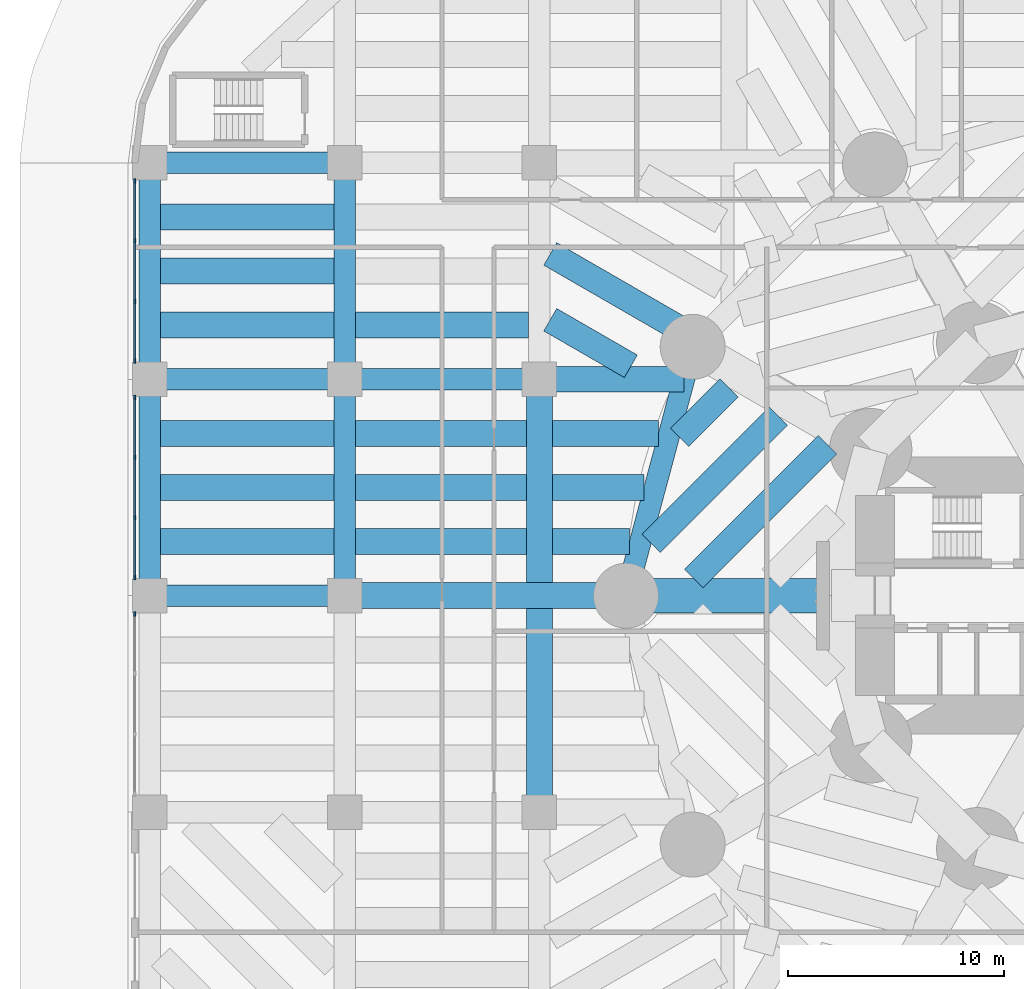
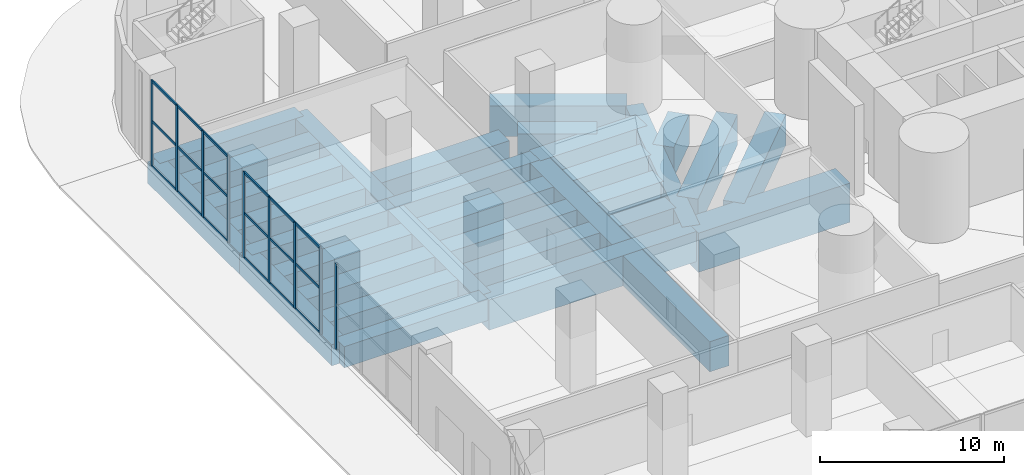
# One storey, part 6 of 20: 31 beams, 27 members, 3 elements without a shape of their own.
"""IFC4 building model written with IfcOpenShell, lengths in metres."""

from ifc_helpers import new_model, si_unit, direction, frame, origin, origin_2d, place, context, subcontext, project, spatial, rectangle, extrude, material, material_profile, profile_set, type_object, element, aggregate, save


model = new_model("IFC4")

# Units and contexts
model_context = context("Model", 3, precision=1e-05, world=origin(), true_north=direction((0.0, 1.0)))
body_context = subcontext(model_context, "Body", "Model", "MODEL_VIEW")
ifc_project = project(units=[si_unit("LENGTHUNIT", "METRE"), si_unit("AREAUNIT", "SQUARE_METRE"), si_unit("VOLUMEUNIT", "CUBIC_METRE"), si_unit("PLANEANGLEUNIT", "RADIAN"), si_unit("MASSUNIT", "GRAM", prefix="KILO")], contexts=[model_context])

# Site, building, storey
site_placement = place(None, origin())
site = spatial("IfcSite", under=ifc_project, at=site_placement, CompositionType="ELEMENT")
building_placement = place(site_placement, origin())
building = spatial("IfcBuilding", under=site, at=building_placement, Name="Qaws Media Tower", CompositionType="ELEMENT")
storey_placement = place(building_placement, origin())
storey = spatial("IfcBuildingStorey", under=building, at=storey_placement, Name="L00", CompositionType="ELEMENT", Elevation=0.0)

# Curtain wall, members
ifc_material_1 = material(Name="Aluminium and clear glass", Category="aluminium")
curtain_wall_type = type_object("IfcCurtainWallType", Name="Podium shopfront CW-P", PredefinedType="NOTDEFINED", material=ifc_material_1)
curtain_wall_1_placement = place(storey_placement, origin())
curtain_wall_1 = element("IfcCurtainWall", 1, at=curtain_wall_1_placement, inside=storey, type_object=curtain_wall_type, Name="CWP shopfront L00 W1", PredefinedType="NOTDEFINED")
ifc_material_2 = material(Name="Aluminium mullion", Category="aluminium")
ifc_material_profile_1 = material_profile(ifc_material_2, rectangle(XDim=0.080078125, YDim=0.199951171875, at=origin_2d()), Name="80x200")
ifc_profile_set_1 = profile_set([ifc_material_profile_1], Name="Aluminium mullion")
member_type_1 = type_object("IfcMemberType", Name="Curtain wall mullion 80x200", PredefinedType="MULLION", material=ifc_profile_set_1)
member_1_placement = place(storey_placement, frame((14.300048828125, 69.159912109375, 0.0), z_axis=(0.0, 0.0, 1.0), x_axis=(1.0, 0.0, 0.0)))
member_1 = element("IfcMember", 2, at=member_1_placement, type_object=member_type_1, Name="CWP mullion 1", PredefinedType="MULLION", context=body_context, shape_type="SweptSolid", body=[
    extrude(rectangle(XDim=0.080078125, YDim=0.199951171875, at=origin_2d()), origin(), (0.0, 0.0, 1.0), 5.699951171875),
])
member_2_placement = place(storey_placement, frame((14.300048828125, 66.39990234375, 0.0), z_axis=(0.0, 0.0, 1.0), x_axis=(1.0, 0.0, 0.0)))
member_2 = element("IfcMember", 3, at=member_2_placement, type_object=member_type_1, Name="CWP mullion 2", PredefinedType="MULLION", context=body_context, shape_type="SweptSolid", body=[
    extrude(rectangle(XDim=0.080078125, YDim=0.199951171875, at=origin_2d()), origin(), (0.0, 0.0, 1.0), 5.699951171875),
])
member_3_placement = place(storey_placement, frame((14.300048828125, 63.60009765625, 0.0), z_axis=(0.0, 0.0, 1.0), x_axis=(1.0, 0.0, 0.0)))
member_3 = element("IfcMember", 4, at=member_3_placement, type_object=member_type_1, Name="CWP mullion 3", PredefinedType="MULLION", context=body_context, shape_type="SweptSolid", body=[
    extrude(rectangle(XDim=0.080078125, YDim=0.199951171875, at=origin_2d()), origin(), (0.0, 0.0, 1.0), 5.699951171875),
])
member_4_placement = place(storey_placement, frame((14.300048828125, 60.840087890625, 0.0), z_axis=(0.0, 0.0, 1.0), x_axis=(1.0, 0.0, 0.0)))
member_4 = element("IfcMember", 5, at=member_4_placement, type_object=member_type_1, Name="CWP mullion 4", PredefinedType="MULLION", context=body_context, shape_type="SweptSolid", body=[
    extrude(rectangle(XDim=0.080078125, YDim=0.199951171875, at=origin_2d()), origin(), (0.0, 0.0, 1.0), 5.699951171875),
])

curtain_wall_2_placement = place(storey_placement, origin())
curtain_wall_2 = element("IfcCurtainWall", 6, at=curtain_wall_2_placement, inside=storey, type_object=curtain_wall_type, Name="CWP shopfront L00 W2", PredefinedType="NOTDEFINED")
member_5_placement = place(storey_placement, frame((14.300048828125, 59.159912109375, 0.0), z_axis=(0.0, 0.0, 1.0), x_axis=(1.0, 0.0, 0.0)))
member_5 = element("IfcMember", 7, at=member_5_placement, type_object=member_type_1, Name="CWP mullion 1", PredefinedType="MULLION", context=body_context, shape_type="SweptSolid", body=[
    extrude(rectangle(XDim=0.080078125, YDim=0.199951171875, at=origin_2d()), origin(), (0.0, 0.0, 1.0), 5.699951171875),
])
member_6_placement = place(storey_placement, frame((14.300048828125, 56.39990234375, 0.0), z_axis=(0.0, 0.0, 1.0), x_axis=(1.0, 0.0, 0.0)))
member_6 = element("IfcMember", 8, at=member_6_placement, type_object=member_type_1, Name="CWP mullion 2", PredefinedType="MULLION", context=body_context, shape_type="SweptSolid", body=[
    extrude(rectangle(XDim=0.080078125, YDim=0.199951171875, at=origin_2d()), origin(), (0.0, 0.0, 1.0), 5.699951171875),
])
member_7_placement = place(storey_placement, frame((14.300048828125, 53.60009765625, 0.0), z_axis=(0.0, 0.0, 1.0), x_axis=(1.0, 0.0, 0.0)))
member_7 = element("IfcMember", 9, at=member_7_placement, type_object=member_type_1, Name="CWP mullion 3", PredefinedType="MULLION", context=body_context, shape_type="SweptSolid", body=[
    extrude(rectangle(XDim=0.080078125, YDim=0.199951171875, at=origin_2d()), origin(), (0.0, 0.0, 1.0), 5.699951171875),
])
member_8_placement = place(storey_placement, frame((14.300048828125, 50.840087890625, 0.0), z_axis=(0.0, 0.0, 1.0), x_axis=(1.0, 0.0, 0.0)))
member_8 = element("IfcMember", 10, at=member_8_placement, type_object=member_type_1, Name="CWP mullion 4", PredefinedType="MULLION", context=body_context, shape_type="SweptSolid", body=[
    extrude(rectangle(XDim=0.080078125, YDim=0.199951171875, at=origin_2d()), origin(), (0.0, 0.0, 1.0), 5.699951171875),
])

# Curtain wall, member
curtain_wall_3_placement = place(storey_placement, origin())
curtain_wall_3 = element("IfcCurtainWall", 11, at=curtain_wall_3_placement, inside=storey, type_object=curtain_wall_type, Name="CWP shopfront L00 W3", PredefinedType="NOTDEFINED")
member_9_placement = place(storey_placement, frame((14.300048828125, 49.159912109375, 0.0), z_axis=(0.0, 0.0, 1.0), x_axis=(1.0, 0.0, 0.0)))
member_9 = element("IfcMember", 12, at=member_9_placement, type_object=member_type_1, Name="CWP mullion 1", PredefinedType="MULLION", context=body_context, shape_type="SweptSolid", body=[
    extrude(rectangle(XDim=0.080078125, YDim=0.199951171875, at=origin_2d()), origin(), (0.0, 0.0, 1.0), 5.699951171875),
])
aggregate(curtain_wall_3, [member_9])

# Member
ifc_material_3 = material(Name="Aluminium transom", Category="aluminium")
ifc_material_profile_2 = material_profile(ifc_material_3, rectangle(XDim=0.080078125, YDim=0.159912109375, at=origin_2d()), Name="80x160")
ifc_profile_set_2 = profile_set([ifc_material_profile_2], Name="Aluminium transom")
member_type_2 = type_object("IfcMemberType", Name="Curtain wall transom 80x160", PredefinedType="USERDEFINED", material=ifc_profile_set_2)
member_10_placement = place(storey_placement, frame((14.300048828125, 69.1201171875, 0.0400390625), z_axis=(0.0, -1.0, 0.0), x_axis=(1.0, 0.0, 0.0)))
member_10 = element("IfcMember", 13, at=member_10_placement, type_object=member_type_2, Name="CWP transom 1.1", ObjectType="TRANSOM", PredefinedType="USERDEFINED", context=body_context, shape_type="SweptSolid", body=[
    extrude(rectangle(XDim=0.080078125, YDim=0.159912109375, at=origin_2d()), origin(), (0.0, 0.0, 1.0), 2.68017578125),
])

member_11_placement = place(storey_placement, frame((14.300048828125, 69.1201171875, 3.0), z_axis=(0.0, -1.0, 0.0), x_axis=(1.0, 0.0, 0.0)))
member_11 = element("IfcMember", 14, at=member_11_placement, type_object=member_type_2, Name="CWP transom 1.2", ObjectType="TRANSOM", PredefinedType="USERDEFINED", context=body_context, shape_type="SweptSolid", body=[
    extrude(rectangle(XDim=0.080078125, YDim=0.159912109375, at=origin_2d()), origin(), (0.0, 0.0, 1.0), 2.68017578125),
])

member_12_placement = place(storey_placement, frame((14.300048828125, 69.1201171875, 5.659912109375), z_axis=(0.0, -1.0, 0.0), x_axis=(1.0, 0.0, 0.0)))
member_12 = element("IfcMember", 15, at=member_12_placement, type_object=member_type_2, Name="CWP transom 1.3", ObjectType="TRANSOM", PredefinedType="USERDEFINED", context=body_context, shape_type="SweptSolid", body=[
    extrude(rectangle(XDim=0.080078125, YDim=0.159912109375, at=origin_2d()), origin(), (0.0, 0.0, 1.0), 2.68017578125),
])

member_13_placement = place(storey_placement, frame((14.300048828125, 66.360107421875, 0.0400390625), z_axis=(0.0, -1.0, 0.0), x_axis=(1.0, 0.0, 0.0)))
member_13 = element("IfcMember", 16, at=member_13_placement, type_object=member_type_2, Name="CWP transom 2.1", ObjectType="TRANSOM", PredefinedType="USERDEFINED", context=body_context, shape_type="SweptSolid", body=[
    extrude(rectangle(XDim=0.080078125, YDim=0.159912109375, at=origin_2d()), origin(), (0.0, 0.0, 1.0), 2.72021484375),
])

member_14_placement = place(storey_placement, frame((14.300048828125, 66.360107421875, 3.0), z_axis=(0.0, -1.0, 0.0), x_axis=(1.0, 0.0, 0.0)))
member_14 = element("IfcMember", 17, at=member_14_placement, type_object=member_type_2, Name="CWP transom 2.2", ObjectType="TRANSOM", PredefinedType="USERDEFINED", context=body_context, shape_type="SweptSolid", body=[
    extrude(rectangle(XDim=0.080078125, YDim=0.159912109375, at=origin_2d()), origin(), (0.0, 0.0, 1.0), 2.72021484375),
])

member_15_placement = place(storey_placement, frame((14.300048828125, 66.360107421875, 5.659912109375), z_axis=(0.0, -1.0, 0.0), x_axis=(1.0, 0.0, 0.0)))
member_15 = element("IfcMember", 18, at=member_15_placement, type_object=member_type_2, Name="CWP transom 2.3", ObjectType="TRANSOM", PredefinedType="USERDEFINED", context=body_context, shape_type="SweptSolid", body=[
    extrude(rectangle(XDim=0.080078125, YDim=0.159912109375, at=origin_2d()), origin(), (0.0, 0.0, 1.0), 2.72021484375),
])

member_16_placement = place(storey_placement, frame((14.300048828125, 63.56005859375, 0.0400390625), z_axis=(0.0, -1.0, 0.0), x_axis=(1.0, 0.0, 0.0)))
member_16 = element("IfcMember", 19, at=member_16_placement, type_object=member_type_2, Name="CWP transom 3.1", ObjectType="TRANSOM", PredefinedType="USERDEFINED", context=body_context, shape_type="SweptSolid", body=[
    extrude(rectangle(XDim=0.080078125, YDim=0.159912109375, at=origin_2d()), origin(), (0.0, 0.0, 1.0), 2.68017578125),
])

member_17_placement = place(storey_placement, frame((14.300048828125, 63.56005859375, 3.0), z_axis=(0.0, -1.0, 0.0), x_axis=(1.0, 0.0, 0.0)))
member_17 = element("IfcMember", 20, at=member_17_placement, type_object=member_type_2, Name="CWP transom 3.2", ObjectType="TRANSOM", PredefinedType="USERDEFINED", context=body_context, shape_type="SweptSolid", body=[
    extrude(rectangle(XDim=0.080078125, YDim=0.159912109375, at=origin_2d()), origin(), (0.0, 0.0, 1.0), 2.68017578125),
])

member_18_placement = place(storey_placement, frame((14.300048828125, 63.56005859375, 5.659912109375), z_axis=(0.0, -1.0, 0.0), x_axis=(1.0, 0.0, 0.0)))
member_18 = element("IfcMember", 21, at=member_18_placement, type_object=member_type_2, Name="CWP transom 3.3", ObjectType="TRANSOM", PredefinedType="USERDEFINED", context=body_context, shape_type="SweptSolid", body=[
    extrude(rectangle(XDim=0.080078125, YDim=0.159912109375, at=origin_2d()), origin(), (0.0, 0.0, 1.0), 2.68017578125),
])

aggregate(curtain_wall_1, [member_1, member_2, member_3, member_4, member_10, member_11, member_12, member_13, member_14, member_15, member_16, member_17, member_18])

member_19_placement = place(storey_placement, frame((14.300048828125, 59.1201171875, 0.0400390625), z_axis=(0.0, -1.0, 0.0), x_axis=(1.0, 0.0, 0.0)))
member_19 = element("IfcMember", 22, at=member_19_placement, type_object=member_type_2, Name="CWP transom 1.1", ObjectType="TRANSOM", PredefinedType="USERDEFINED", context=body_context, shape_type="SweptSolid", body=[
    extrude(rectangle(XDim=0.080078125, YDim=0.159912109375, at=origin_2d()), origin(), (0.0, 0.0, 1.0), 2.68017578125),
])

member_20_placement = place(storey_placement, frame((14.300048828125, 59.1201171875, 3.0), z_axis=(0.0, -1.0, 0.0), x_axis=(1.0, 0.0, 0.0)))
member_20 = element("IfcMember", 23, at=member_20_placement, type_object=member_type_2, Name="CWP transom 1.2", ObjectType="TRANSOM", PredefinedType="USERDEFINED", context=body_context, shape_type="SweptSolid", body=[
    extrude(rectangle(XDim=0.080078125, YDim=0.159912109375, at=origin_2d()), origin(), (0.0, 0.0, 1.0), 2.68017578125),
])

member_21_placement = place(storey_placement, frame((14.300048828125, 59.1201171875, 5.659912109375), z_axis=(0.0, -1.0, 0.0), x_axis=(1.0, 0.0, 0.0)))
member_21 = element("IfcMember", 24, at=member_21_placement, type_object=member_type_2, Name="CWP transom 1.3", ObjectType="TRANSOM", PredefinedType="USERDEFINED", context=body_context, shape_type="SweptSolid", body=[
    extrude(rectangle(XDim=0.080078125, YDim=0.159912109375, at=origin_2d()), origin(), (0.0, 0.0, 1.0), 2.68017578125),
])

member_22_placement = place(storey_placement, frame((14.300048828125, 56.360107421875, 0.0400390625), z_axis=(0.0, -1.0, 0.0), x_axis=(1.0, 0.0, 0.0)))
member_22 = element("IfcMember", 25, at=member_22_placement, type_object=member_type_2, Name="CWP transom 2.1", ObjectType="TRANSOM", PredefinedType="USERDEFINED", context=body_context, shape_type="SweptSolid", body=[
    extrude(rectangle(XDim=0.080078125, YDim=0.159912109375, at=origin_2d()), origin(), (0.0, 0.0, 1.0), 2.72021484375),
])

member_23_placement = place(storey_placement, frame((14.300048828125, 56.360107421875, 3.0), z_axis=(0.0, -1.0, 0.0), x_axis=(1.0, 0.0, 0.0)))
member_23 = element("IfcMember", 26, at=member_23_placement, type_object=member_type_2, Name="CWP transom 2.2", ObjectType="TRANSOM", PredefinedType="USERDEFINED", context=body_context, shape_type="SweptSolid", body=[
    extrude(rectangle(XDim=0.080078125, YDim=0.159912109375, at=origin_2d()), origin(), (0.0, 0.0, 1.0), 2.72021484375),
])

member_24_placement = place(storey_placement, frame((14.300048828125, 56.360107421875, 5.659912109375), z_axis=(0.0, -1.0, 0.0), x_axis=(1.0, 0.0, 0.0)))
member_24 = element("IfcMember", 27, at=member_24_placement, type_object=member_type_2, Name="CWP transom 2.3", ObjectType="TRANSOM", PredefinedType="USERDEFINED", context=body_context, shape_type="SweptSolid", body=[
    extrude(rectangle(XDim=0.080078125, YDim=0.159912109375, at=origin_2d()), origin(), (0.0, 0.0, 1.0), 2.72021484375),
])

member_25_placement = place(storey_placement, frame((14.300048828125, 53.56005859375, 0.0400390625), z_axis=(0.0, -1.0, 0.0), x_axis=(1.0, 0.0, 0.0)))
member_25 = element("IfcMember", 28, at=member_25_placement, type_object=member_type_2, Name="CWP transom 3.1", ObjectType="TRANSOM", PredefinedType="USERDEFINED", context=body_context, shape_type="SweptSolid", body=[
    extrude(rectangle(XDim=0.080078125, YDim=0.159912109375, at=origin_2d()), origin(), (0.0, 0.0, 1.0), 2.68017578125),
])

member_26_placement = place(storey_placement, frame((14.300048828125, 53.56005859375, 3.0), z_axis=(0.0, -1.0, 0.0), x_axis=(1.0, 0.0, 0.0)))
member_26 = element("IfcMember", 29, at=member_26_placement, type_object=member_type_2, Name="CWP transom 3.2", ObjectType="TRANSOM", PredefinedType="USERDEFINED", context=body_context, shape_type="SweptSolid", body=[
    extrude(rectangle(XDim=0.080078125, YDim=0.159912109375, at=origin_2d()), origin(), (0.0, 0.0, 1.0), 2.68017578125),
])

member_27_placement = place(storey_placement, frame((14.300048828125, 53.56005859375, 5.659912109375), z_axis=(0.0, -1.0, 0.0), x_axis=(1.0, 0.0, 0.0)))
member_27 = element("IfcMember", 30, at=member_27_placement, type_object=member_type_2, Name="CWP transom 3.3", ObjectType="TRANSOM", PredefinedType="USERDEFINED", context=body_context, shape_type="SweptSolid", body=[
    extrude(rectangle(XDim=0.080078125, YDim=0.159912109375, at=origin_2d()), origin(), (0.0, 0.0, 1.0), 2.68017578125),
])

aggregate(curtain_wall_2, [member_5, member_6, member_7, member_8, member_19, member_20, member_21, member_22, member_23, member_24, member_25, member_26, member_27])

# Beams
ifc_material_4 = material(Name="Concrete C60/75", Category="concrete")
ifc_material_profile_3 = material_profile(ifc_material_4, rectangle(XDim=1.0, YDim=1.39990234375, at=origin_2d()), Name="RC 1000x1400")
ifc_profile_set_3 = profile_set([ifc_material_profile_3], Name="Concrete C60/75")
beam_type_1 = type_object("IfcBeamType", Name="Podium edge beam RC 1000x1400", PredefinedType="BEAM", material=ifc_profile_set_3)
beam_1_placement = place(storey_placement, frame((40.081298828125, 61.5, -1.0), z_axis=(-0.258809885148, -0.965928280645, 0.0), x_axis=(0.965928280645, -0.258809885148, 0.0)))
element("IfcBeam", 31, at=beam_1_placement, inside=storey, type_object=beam_type_1, Name="PB3 beam M06-M07", PredefinedType="BEAM", context=body_context, shape_type="SweptSolid", body=[
    extrude(rectangle(XDim=1.0, YDim=1.39990234375, at=origin_2d()), origin(), (0.0, 0.0, 1.0), 11.90576171875),
])
ifc_material_5 = material(Name="Concrete C60/75", Category="concrete")
ifc_material_profile_4 = material_profile(ifc_material_5, rectangle(XDim=1.0, YDim=1.39990234375, at=origin_2d()), Name="RC 1000x1400")
ifc_profile_set_4 = profile_set([ifc_material_profile_4], Name="Concrete C60/75")
beam_type_2 = type_object("IfcBeamType", Name="Podium girder RC 1000x1400", PredefinedType="BEAM", material=ifc_profile_set_4)
for number, where, z_axis, x_axis, name in (
    (32, (15.0, 50.0, -1.0), (1.0, 0.0, 0.0), (0.0, 1.0, 0.0), "PB5 beam 1-2/D"),
    (33, (15.0, 60.0, -1.0), (1.0, 0.0, 0.0), (0.0, 1.0, 0.0), "PB5 beam 1-2/E"),
    (34, (24.0, 60.0, -1.0), (1.0, 0.0, 0.0), (0.0, 1.0, 0.0), "PB5 beam 2-3/E"),
    (35, (15.0, 70.0, -1.0), (1.0, 0.0, 0.0), (0.0, 1.0, 0.0), "PB5 beam 1-2/F"),
):
    element("IfcBeam", number, at=place(storey_placement, frame(where, z_axis=z_axis, x_axis=x_axis)), inside=storey, type_object=beam_type_2, Name=name, PredefinedType="BEAM", context=body_context, shape_type="SweptSolid", body=[
        extrude(rectangle(XDim=1.0, YDim=1.39990234375, at=origin_2d()), origin(), (0.0, 0.0, 1.0), 9.0),
    ])
for number, where, z_axis, x_axis, name in (
    (36, (15.0, 50.0, -1.0), (0.0, 1.0, 0.0), (-1.0, 0.0, 0.0), "PB5 beam 1/D-E"),
    (37, (15.0, 60.0, -1.0), (0.0, 1.0, 0.0), (-1.0, 0.0, 0.0), "PB5 beam 1/E-F"),
    (38, (24.0, 50.0, -1.0), (0.0, 1.0, 0.0), (-1.0, 0.0, 0.0), "PB5 beam 2/D-E"),
    (39, (24.0, 60.0, -1.0), (0.0, 1.0, 0.0), (-1.0, 0.0, 0.0), "PB5 beam 2/E-F"),
):
    element("IfcBeam", number, at=place(storey_placement, frame(where, z_axis=z_axis, x_axis=x_axis)), inside=storey, type_object=beam_type_2, Name=name, PredefinedType="BEAM", context=body_context, shape_type="SweptSolid", body=[
        extrude(rectangle(XDim=1.0, YDim=1.39990234375, at=origin_2d()), origin(), (0.0, 0.0, 1.0), 10.0),
    ])
ifc_material_6 = material(Name="Concrete C60/75", Category="concrete")
ifc_material_profile_5 = material_profile(ifc_material_6, rectangle(XDim=1.199951171875, YDim=2.0, at=origin_2d()), Name="RC 1200x2000")
ifc_profile_set_5 = profile_set([ifc_material_profile_5], Name="Concrete C60/75")
beam_type_3 = type_object("IfcBeamType", Name="Podium long trimmer beam RC 1200x2000", PredefinedType="BEAM", material=ifc_profile_set_5)
beam_2_placement = place(storey_placement, frame((33.0, 40.0, -1.300048828125), z_axis=(0.0, 1.0, 0.0), x_axis=(-1.0, 0.0, 0.0)))
element("IfcBeam", 40, at=beam_2_placement, inside=storey, type_object=beam_type_3, Name="PB11 beam 3/C-3/E", PredefinedType="BEAM", context=body_context, shape_type="SweptSolid", body=[
    extrude(rectangle(XDim=1.199951171875, YDim=2.0, at=origin_2d()), origin(), (0.0, 0.0, 1.0), 20.0),
])
ifc_material_7 = material(Name="Concrete C60/75", Category="concrete")
ifc_material_profile_6 = material_profile(ifc_material_7, rectangle(XDim=1.199951171875, YDim=2.0, at=origin_2d()), Name="RC 1200x2000")
ifc_profile_set_6 = profile_set([ifc_material_profile_6], Name="Concrete C60/75")
beam_type_4 = type_object("IfcBeamType", Name="Podium secondary beam RC 1200x2000", PredefinedType="BEAM", material=ifc_profile_set_6)
for number, where, z_axis, x_axis, name in (
    (41, (15.5, 52.5, -1.300048828125), (1.0, 0.0, 0.0), (0.0, 1.0, 0.0), "PB7 beam bay 1D line 1"),
    (42, (15.5, 55.0, -1.300048828125), (1.0, 0.0, 0.0), (0.0, 1.0, 0.0), "PB7 beam bay 1D line 2"),
    (43, (15.5, 57.5, -1.300048828125), (1.0, 0.0, 0.0), (0.0, 1.0, 0.0), "PB7 beam bay 1D line 3"),
    (44, (15.5, 62.5, -1.300048828125), (1.0, 0.0, 0.0), (0.0, 1.0, 0.0), "PB7 beam bay 1E line 1"),
    (45, (15.5, 65.0, -1.300048828125), (1.0, 0.0, 0.0), (0.0, 1.0, 0.0), "PB7 beam bay 1E line 2"),
    (46, (15.5, 67.5, -1.300048828125), (1.0, 0.0, 0.0), (0.0, 1.0, 0.0), "PB7 beam bay 1E line 3"),
):
    element("IfcBeam", number, at=place(storey_placement, frame(where, z_axis=z_axis, x_axis=x_axis)), inside=storey, type_object=beam_type_4, Name=name, PredefinedType="BEAM", context=body_context, shape_type="SweptSolid", body=[
        extrude(rectangle(XDim=1.199951171875, YDim=2.0, at=origin_2d()), origin(), (0.0, 0.0, 1.0), 8.0),
    ])
for number, where, z_axis, x_axis, name in (
    (47, (24.5, 52.5, -1.300048828125), (1.0, 0.0, 0.0), (0.0, 1.0, 0.0), "PB7 beam bay 2D line 1"),
    (48, (24.5, 55.0, -1.300048828125), (1.0, 0.0, 0.0), (0.0, 1.0, 0.0), "PB7 beam bay 2D line 2"),
    (49, (24.5, 57.5, -1.300048828125), (1.0, 0.0, 0.0), (0.0, 1.0, 0.0), "PB7 beam bay 2D line 3"),
):
    element("IfcBeam", number, at=place(storey_placement, frame(where, z_axis=z_axis, x_axis=x_axis)), inside=storey, type_object=beam_type_4, Name=name, PredefinedType="BEAM", context=body_context, shape_type="SweptSolid", body=[
        extrude(rectangle(XDim=1.199951171875, YDim=2.0, at=origin_2d()), origin(), (0.0, 0.0, 1.0), 7.89990234375),
    ])
beam_3_placement = place(storey_placement, frame((24.5, 62.5, -1.300048828125), z_axis=(1.0, 0.0, 0.0), x_axis=(0.0, 1.0, 0.0)))
element("IfcBeam", 50, at=beam_3_placement, inside=storey, type_object=beam_type_4, Name="PB7 beam bay 2E line 1", PredefinedType="BEAM", context=body_context, shape_type="SweptSolid", body=[
    extrude(rectangle(XDim=1.199951171875, YDim=2.0, at=origin_2d()), origin(), (0.0, 0.0, 1.0), 8.0),
])
beam_4_placement = place(storey_placement, frame((33.60009765625, 52.5, -1.300048828125), z_axis=(1.0, 0.0, 0.0), x_axis=(0.0, 1.0, 0.0)))
element("IfcBeam", 51, at=beam_4_placement, inside=storey, type_object=beam_type_4, Name="PB7 beam bay 3D line 1", PredefinedType="BEAM", context=body_context, shape_type="SweptSolid", body=[
    extrude(rectangle(XDim=1.199951171875, YDim=2.0, at=origin_2d()), origin(), (0.0, 0.0, 1.0), 3.55224609375),
])
beam_5_placement = place(storey_placement, frame((33.60009765625, 55.0, -1.300048828125), z_axis=(1.0, 0.0, 0.0), x_axis=(0.0, 1.0, 0.0)))
element("IfcBeam", 52, at=beam_5_placement, inside=storey, type_object=beam_type_4, Name="PB7 beam bay 3D line 2", PredefinedType="BEAM", context=body_context, shape_type="SweptSolid", body=[
    extrude(rectangle(XDim=1.199951171875, YDim=2.0, at=origin_2d()), origin(), (0.0, 0.0, 1.0), 4.221923828125),
])
beam_6_placement = place(storey_placement, frame((33.60009765625, 57.5, -1.300048828125), z_axis=(1.0, 0.0, 0.0), x_axis=(0.0, 1.0, 0.0)))
element("IfcBeam", 53, at=beam_6_placement, inside=storey, type_object=beam_type_4, Name="PB7 beam bay 3D line 3", PredefinedType="BEAM", context=body_context, shape_type="SweptSolid", body=[
    extrude(rectangle(XDim=1.199951171875, YDim=2.0, at=origin_2d()), origin(), (0.0, 0.0, 1.0), 4.891845703125),
])
beam_7_placement = place(storey_placement, frame((39.94384765625, 62.069580078125, -1.300048828125), z_axis=(-0.866033686948, 0.499985652865, 0.0), x_axis=(-0.499985652865, -0.866033686948, 0.0)))
element("IfcBeam", 54, at=beam_7_placement, inside=storey, type_object=beam_type_4, Name="PB7 beam bay 3E line 3", PredefinedType="BEAM", context=body_context, shape_type="SweptSolid", body=[
    extrude(rectangle(XDim=1.199951171875, YDim=2.0, at=origin_2d()), origin(), (0.0, 0.0, 1.0), 7.440673828125),
])
beam_8_placement = place(storey_placement, frame((37.224853515625, 60.60009765625, -1.300048828125), z_axis=(-0.866040963478, 0.499973048851, 0.0), x_axis=(-0.499973048851, -0.866040963478, 0.0)))
element("IfcBeam", 55, at=beam_8_placement, inside=storey, type_object=beam_type_4, Name="PB7 beam bay 3E line 4", PredefinedType="BEAM", context=body_context, shape_type="SweptSolid", body=[
    extrude(rectangle(XDim=1.199951171875, YDim=2.0, at=origin_2d()), origin(), (0.0, 0.0, 1.0), 4.301025390625),
])
beam_9_placement = place(storey_placement, frame((40.132568359375, 50.800048828125, -1.300048828125), z_axis=(0.707106781187, 0.707106781187, 0.0), x_axis=(-0.707106781187, 0.707106781187, 0.0)))
element("IfcBeam", 56, at=beam_9_placement, inside=storey, type_object=beam_type_4, Name="PB7 beam bay T06 line 2", PredefinedType="BEAM", context=body_context, shape_type="SweptSolid", body=[
    extrude(rectangle(XDim=1.199951171875, YDim=2.0, at=origin_2d()), origin(), (0.0, 0.0, 1.0), 8.73876953125),
])
beam_10_placement = place(storey_placement, frame((38.1650390625, 52.416259765625, -1.300048828125), z_axis=(0.707106781187, 0.707106781187, 0.0), x_axis=(-0.707106781187, 0.707106781187, 0.0)))
element("IfcBeam", 57, at=beam_10_placement, inside=storey, type_object=beam_type_4, Name="PB7 beam bay T06 line 3", PredefinedType="BEAM", context=body_context, shape_type="SweptSolid", body=[
    extrude(rectangle(XDim=1.199951171875, YDim=2.0, at=origin_2d()), origin(), (0.0, 0.0, 1.0), 8.30810546875),
])
beam_11_placement = place(storey_placement, frame((39.476806640625, 57.311767578125, -1.300048828125), z_axis=(0.707144458383, 0.707069101983, 0.0), x_axis=(-0.707069101983, 0.707144458383, 0.0)))
element("IfcBeam", 58, at=beam_11_placement, inside=storey, type_object=beam_type_4, Name="PB7 beam bay T06 line 4", PredefinedType="BEAM", context=body_context, shape_type="SweptSolid", body=[
    extrude(rectangle(XDim=1.199951171875, YDim=2.0, at=origin_2d()), origin(), (0.0, 0.0, 1.0), 3.23974609375),
])
ifc_material_8 = material(Name="Concrete C60/75", Category="concrete")
ifc_material_profile_7 = material_profile(ifc_material_8, rectangle(XDim=1.60009765625, YDim=2.60009765625, at=origin_2d()), Name="RC 1600x2600")
ifc_profile_set_7 = profile_set([ifc_material_profile_7], Name="Concrete C60/75")
beam_type_5 = type_object("IfcBeamType", Name="Podium tower beam RC 1600x2600", PredefinedType="BEAM", material=ifc_profile_set_7)
beam_12_placement = place(storey_placement, frame((46.5, 50.0, -1.60009765625), z_axis=(-1.0, 0.0, 0.0), x_axis=(0.0, -1.0, 0.0)))
element("IfcBeam", 59, at=beam_12_placement, inside=storey, type_object=beam_type_5, Name="PB9 beam I07-M07", PredefinedType="BEAM", context=body_context, shape_type="SweptSolid", body=[
    extrude(rectangle(XDim=1.60009765625, YDim=2.60009765625, at=origin_2d()), origin(), (0.0, 0.0, 1.0), 9.5),
])
ifc_material_9 = material(Name="Concrete C60/75", Category="concrete")
ifc_material_profile_8 = material_profile(ifc_material_9, rectangle(XDim=1.199951171875, YDim=2.0, at=origin_2d()), Name="RC 1200x2000")
ifc_profile_set_8 = profile_set([ifc_material_profile_8], Name="Concrete C60/75")
beam_type_6 = type_object("IfcBeamType", Name="Podium trimmer beam RC 1200x2000", PredefinedType="BEAM", material=ifc_profile_set_8)
beam_13_placement = place(storey_placement, frame((24.0, 50.0, -1.300048828125), z_axis=(1.0, 0.0, 0.0), x_axis=(0.0, 1.0, 0.0)))
element("IfcBeam", 60, at=beam_13_placement, inside=storey, type_object=beam_type_6, Name="PB4 beam 2/D to the tower ring", PredefinedType="BEAM", context=body_context, shape_type="SweptSolid", body=[
    extrude(rectangle(XDim=1.199951171875, YDim=2.0, at=origin_2d()), origin(), (0.0, 0.0, 1.0), 13.0),
])
beam_14_placement = place(storey_placement, frame((33.0, 60.0, -1.300048828125), z_axis=(1.0, 0.0, 0.0), x_axis=(0.0, 1.0, 0.0)))
element("IfcBeam", 61, at=beam_14_placement, inside=storey, type_object=beam_type_6, Name="PB4 beam 3/E to the tower ring", PredefinedType="BEAM", context=body_context, shape_type="SweptSolid", body=[
    extrude(rectangle(XDim=1.199951171875, YDim=2.0, at=origin_2d()), origin(), (0.0, 0.0, 1.0), 6.679443359375),
])

save(model, "model.ifc")
